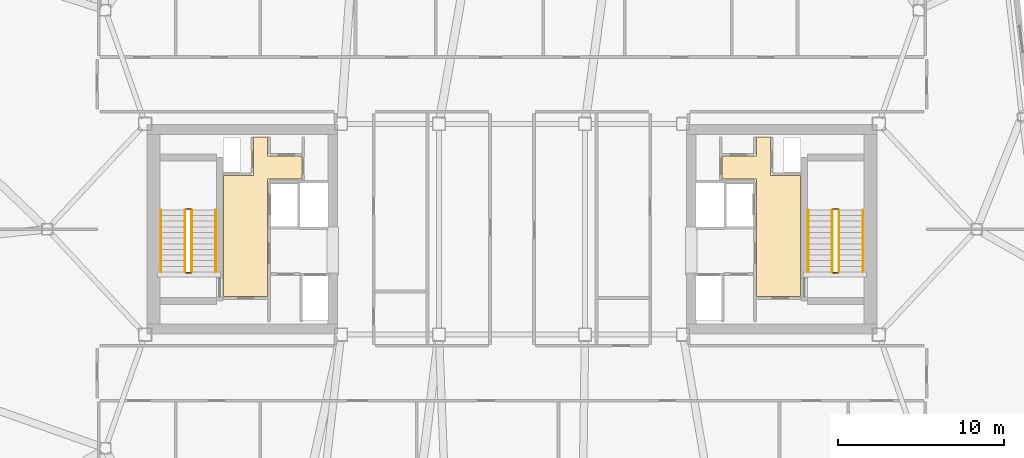
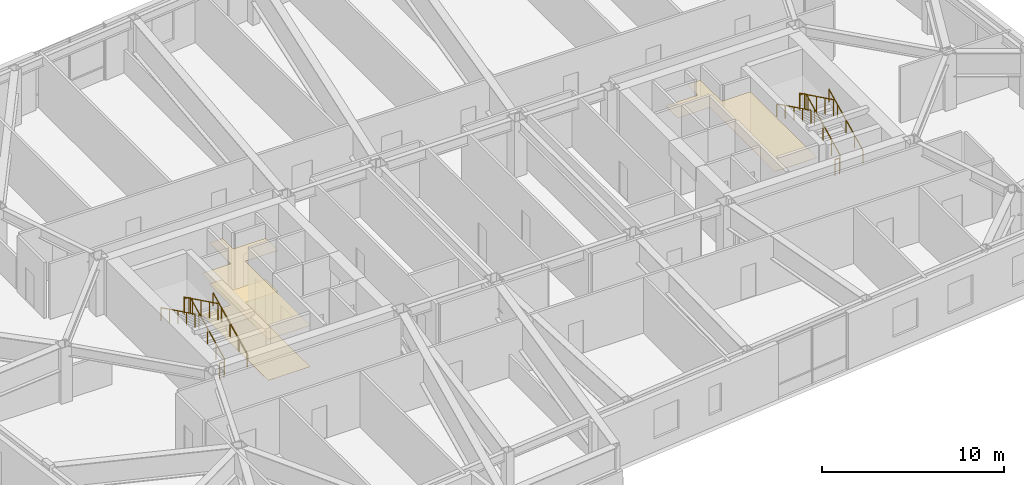
# One storey, part 18 of 18: 12 railings, 3 coverings.
"""IFC4 building model written with IfcOpenShell, lengths in metres."""

from ifc_helpers import new_model, si_unit, direction, frame, origin, origin_2d, place, context, subcontext, project, spatial, polyline, rectangle, outline, extrude, material, layer, layer_set, type_object, element, save


model = new_model("IFC4")

# Units and contexts
model_context = context("Model", 3, precision=1e-05, world=origin(), true_north=direction((0.0, 1.0)))
body_context = subcontext(model_context, "Body", "Model", "MODEL_VIEW")
ifc_project = project(units=[si_unit("LENGTHUNIT", "METRE"), si_unit("AREAUNIT", "SQUARE_METRE"), si_unit("VOLUMEUNIT", "CUBIC_METRE"), si_unit("PLANEANGLEUNIT", "RADIAN"), si_unit("MASSUNIT", "GRAM", prefix="KILO")], contexts=[model_context])

# Site, building, storey
site_placement = place(None, origin())
site = spatial("IfcSite", under=ifc_project, at=site_placement, CompositionType="ELEMENT")
building_placement = place(site_placement, origin())
building = spatial("IfcBuilding", under=site, at=building_placement, Name="Tavrogorsk Clinical Tower", CompositionType="ELEMENT")
storey_placement = place(building_placement, frame((0.0, 0.0, 222.199951171875)))
storey = spatial("IfcBuildingStorey", under=building, at=storey_placement, Name="L51", CompositionType="ELEMENT", Elevation=222.199951171875)

# Coverings
ifc_material_1 = material(Name="Antibacterial micro-perforated aluminium ceiling", Category="aluminium")
ifc_layer_1 = layer(ifc_material_1, 0.014892578125)
ifc_layer_set_1 = layer_set([ifc_layer_1], Name="Antibacterial micro-perforated aluminium ceiling")
covering_type_1 = type_object("IfcCoveringType", Name="ClinicalCeiling_15", PredefinedType="CEILING", material=ifc_layer_set_1)
covering_1_placement = place(storey_placement, frame((0.0, 0.0, 2.75)))
element("IfcCovering", 1, at=covering_1_placement, inside=storey, type_object=covering_type_1, Name="Core West Firefighting Lift Lobby Acoustic Ceiling", PredefinedType="CEILING", context=body_context, shape_type="SweptSolid", body=[
    extrude(outline(polyline([(-17.3798828125, -4.06005859375), (-17.3798828125, 3.239990234375), (-15.56005859375, 3.239990234375), (-15.56005859375, 5.56005859375), (-14.719970703125, 5.56005859375), (-14.719970703125, 4.39990234375), (-12.659912109375, 4.39990234375), (-12.659912109375, 3.0400390625), (-14.719970703125, 3.0400390625), (-14.719970703125, -4.06005859375), (-17.3798828125, -4.06005859375)])), origin(), (0.0, 0.0, 1.0), 0.01513671875),
])
covering_2_placement = place(storey_placement, frame((0.0, 0.0, 2.75)))
element("IfcCovering", 2, at=covering_2_placement, inside=storey, type_object=covering_type_1, Name="Core East Firefighting Lift Lobby Acoustic Ceiling", PredefinedType="CEILING", context=body_context, shape_type="SweptSolid", body=[
    extrude(outline(polyline([(14.719970703125, 3.0400390625), (12.659912109375, 3.0400390625), (12.659912109375, 4.39990234375), (14.719970703125, 4.39990234375), (14.719970703125, 5.56005859375), (15.56005859375, 5.56005859375), (15.56005859375, 3.239990234375), (17.3798828125, 3.239990234375), (17.3798828125, -4.06005859375), (14.719970703125, -4.06005859375), (14.719970703125, 3.0400390625)])), origin(), (0.0, 0.0, 1.0), 0.01513671875),
])
ifc_material_2 = material(Name="Homogeneous medical conductive PVC flooring")
ifc_layer_2 = layer(ifc_material_2, 0.008056640625)
ifc_layer_set_2 = layer_set([ifc_layer_2], Name="Homogeneous medical conductive PVC flooring")
covering_type_2 = type_object("IfcCoveringType", Name="ResilientVinylFloor_8", PredefinedType="FLOORING", material=ifc_layer_set_2)
covering_3_placement = place(storey_placement, origin())
element("IfcCovering", 3, at=covering_3_placement, inside=storey, type_object=covering_type_2, Name="Core West Firefighting Lift Lobby Conductive Vinyl Flooring", PredefinedType="FLOORING", context=body_context, shape_type="SweptSolid", body=[
    extrude(outline(polyline([(-17.3798828125, -4.06005859375), (-17.3798828125, 3.239990234375), (-15.56005859375, 3.239990234375), (-15.56005859375, 5.56005859375), (-14.719970703125, 5.56005859375), (-14.719970703125, 4.39990234375), (-12.659912109375, 4.39990234375), (-12.659912109375, 3.0400390625), (-14.719970703125, 3.0400390625), (-14.719970703125, -4.06005859375), (-17.3798828125, -4.06005859375)])), origin(), (0.0, 0.0, 1.0), 0.008056640625),
])

# Railings
ifc_material_3 = material(Name="Galvanised steel S355 safety stairwell guard", Category="steel")
ifc_layer_3 = layer(ifc_material_3, 0.06005859375)
ifc_layer_set_3 = layer_set([ifc_layer_3], Name="Galvanised steel S355 safety stairwell guard")
railing_type_1 = type_object("IfcRailingType", Name="StairGuard_1150", PredefinedType="GUARDRAIL", material=ifc_layer_set_3)
railing_1_placement = place(storey_placement, frame((-19.300048828125, -2.574951171875, 0.166748046875)))
element("IfcRailing", 4, at=railing_1_placement, inside=storey, type_object=railing_type_1, Name="L51 ST-W stair guard 1", PredefinedType="GUARDRAIL", context=body_context, shape_type="SweptSolid", body=[
    extrude(rectangle(XDim=0.048095703125, YDim=0.048095703125, at=origin_2d()), frame((0.0, 0.0, 1.076171875), z_axis=(0.0, 0.897927990467, 0.440142390523), x_axis=(-1.0, 0.0, 0.0)), (0.0, 0.0, 1.0), 4.1650390625),
    extrude(rectangle(XDim=0.0419921875, YDim=0.0419921875, at=origin_2d()), origin(), (0.0, 0.0, 1.0), 1.052001953125),
    extrude(rectangle(XDim=0.0419921875, YDim=0.0419921875, at=origin_2d()), frame((0.0, 0.93505859375, 0.458251953125)), (0.0, 0.0, 1.0), 1.052001953125),
    extrude(rectangle(XDim=0.0419921875, YDim=0.0419921875, at=origin_2d()), frame((0.0, 1.8701171875, 0.91650390625)), (0.0, 0.0, 1.0), 1.052001953125),
    extrude(rectangle(XDim=0.0419921875, YDim=0.0419921875, at=origin_2d()), frame((0.0, 2.804931640625, 1.375)), (0.0, 0.0, 1.0), 1.052001953125),
    extrude(rectangle(XDim=0.0419921875, YDim=0.0419921875, at=origin_2d()), frame((0.0, 3.739990234375, 1.833251953125)), (0.0, 0.0, 1.0), 1.052001953125),
])
railing_2_placement = place(storey_placement, frame((-19.35009765625, 1.215087890625, 2.0)))
element("IfcRailing", 5, at=railing_2_placement, inside=storey, type_object=railing_type_1, Name="L51 ST-W stair guard 2", PredefinedType="GUARDRAIL", context=body_context, shape_type="SweptSolid", body=[
    extrude(rectangle(XDim=0.048095703125, YDim=0.048095703125, at=origin_2d()), frame((0.0, 0.0, 1.076171875), z_axis=(-1.0, 0.0, 0.0), x_axis=(0.0, -1.0, 0.0)), (0.0, 0.0, 1.0), 0.2998046875),
    extrude(rectangle(XDim=0.0419921875, YDim=0.0419921875, at=origin_2d()), origin(), (0.0, 0.0, 1.0), 1.052001953125),
    extrude(rectangle(XDim=0.0419921875, YDim=0.0419921875, at=origin_2d()), frame((-0.2998046875, 0.0, 0.0)), (0.0, 0.0, 1.0), 1.052001953125),
])
railing_3_placement = place(storey_placement, frame((-19.699951171875, 1.1650390625, 2.166748046875)))
element("IfcRailing", 6, at=railing_3_placement, inside=storey, type_object=railing_type_1, Name="L51 ST-W stair guard 3", PredefinedType="GUARDRAIL", context=body_context, shape_type="SweptSolid", body=[
    extrude(rectangle(XDim=0.048095703125, YDim=0.048095703125, at=origin_2d()), frame((0.0, 0.0, 1.076171875), z_axis=(0.0, -0.897927990467, 0.440142390523), x_axis=(1.0, 0.0, 0.0)), (0.0, 0.0, 1.0), 4.1650390625),
    extrude(rectangle(XDim=0.0419921875, YDim=0.0419921875, at=origin_2d()), origin(), (0.0, 0.0, 1.0), 1.052001953125),
    extrude(rectangle(XDim=0.0419921875, YDim=0.0419921875, at=origin_2d()), frame((0.0, -0.93505859375, 0.458251953125)), (0.0, 0.0, 1.0), 1.052001953125),
    extrude(rectangle(XDim=0.0419921875, YDim=0.0419921875, at=origin_2d()), frame((0.0, -1.8701171875, 0.91650390625)), (0.0, 0.0, 1.0), 1.052001953125),
    extrude(rectangle(XDim=0.0419921875, YDim=0.0419921875, at=origin_2d()), frame((0.0, -2.804931640625, 1.375)), (0.0, 0.0, 1.0), 1.052001953125),
    extrude(rectangle(XDim=0.0419921875, YDim=0.0419921875, at=origin_2d()), frame((0.0, -3.739990234375, 1.833251953125)), (0.0, 0.0, 1.0), 1.052001953125),
])
railing_4_placement = place(storey_placement, frame((-19.35009765625, -2.625, 0.0)))
element("IfcRailing", 7, at=railing_4_placement, inside=storey, type_object=railing_type_1, Name="L51 ST-W stair guard 4", PredefinedType="GUARDRAIL", context=body_context, shape_type="SweptSolid", body=[
    extrude(rectangle(XDim=0.048095703125, YDim=0.048095703125, at=origin_2d()), frame((0.0, 0.0, 1.076171875), z_axis=(-1.0, 0.0, 0.0), x_axis=(0.0, -1.0, 0.0)), (0.0, 0.0, 1.0), 0.2998046875),
    extrude(rectangle(XDim=0.0419921875, YDim=0.0419921875, at=origin_2d()), origin(), (0.0, 0.0, 1.0), 1.052001953125),
    extrude(rectangle(XDim=0.0419921875, YDim=0.0419921875, at=origin_2d()), frame((-0.2998046875, 0.0, 0.0)), (0.0, 0.0, 1.0), 1.052001953125),
])
railing_5_placement = place(storey_placement, frame((19.699951171875, -2.574951171875, 0.166748046875)))
element("IfcRailing", 8, at=railing_5_placement, inside=storey, type_object=railing_type_1, Name="L51 ST-E stair guard 1", PredefinedType="GUARDRAIL", context=body_context, shape_type="SweptSolid", body=[
    extrude(rectangle(XDim=0.048095703125, YDim=0.048095703125, at=origin_2d()), frame((0.0, 0.0, 1.076171875), z_axis=(0.0, 0.897927990467, 0.440142390523), x_axis=(-1.0, 0.0, 0.0)), (0.0, 0.0, 1.0), 4.1650390625),
    extrude(rectangle(XDim=0.0419921875, YDim=0.0419921875, at=origin_2d()), origin(), (0.0, 0.0, 1.0), 1.052001953125),
    extrude(rectangle(XDim=0.0419921875, YDim=0.0419921875, at=origin_2d()), frame((0.0, 0.93505859375, 0.458251953125)), (0.0, 0.0, 1.0), 1.052001953125),
    extrude(rectangle(XDim=0.0419921875, YDim=0.0419921875, at=origin_2d()), frame((0.0, 1.8701171875, 0.91650390625)), (0.0, 0.0, 1.0), 1.052001953125),
    extrude(rectangle(XDim=0.0419921875, YDim=0.0419921875, at=origin_2d()), frame((0.0, 2.804931640625, 1.375)), (0.0, 0.0, 1.0), 1.052001953125),
    extrude(rectangle(XDim=0.0419921875, YDim=0.0419921875, at=origin_2d()), frame((0.0, 3.739990234375, 1.833251953125)), (0.0, 0.0, 1.0), 1.052001953125),
])
railing_6_placement = place(storey_placement, frame((19.64990234375, 1.215087890625, 2.0)))
element("IfcRailing", 9, at=railing_6_placement, inside=storey, type_object=railing_type_1, Name="L51 ST-E stair guard 2", PredefinedType="GUARDRAIL", context=body_context, shape_type="SweptSolid", body=[
    extrude(rectangle(XDim=0.048095703125, YDim=0.048095703125, at=origin_2d()), frame((0.0, 0.0, 1.076171875), z_axis=(-1.0, 0.0, 0.0), x_axis=(0.0, -1.0, 0.0)), (0.0, 0.0, 1.0), 0.2998046875),
    extrude(rectangle(XDim=0.0419921875, YDim=0.0419921875, at=origin_2d()), origin(), (0.0, 0.0, 1.0), 1.052001953125),
    extrude(rectangle(XDim=0.0419921875, YDim=0.0419921875, at=origin_2d()), frame((-0.2998046875, 0.0, 0.0)), (0.0, 0.0, 1.0), 1.052001953125),
])
railing_7_placement = place(storey_placement, frame((19.300048828125, 1.1650390625, 2.166748046875)))
element("IfcRailing", 10, at=railing_7_placement, inside=storey, type_object=railing_type_1, Name="L51 ST-E stair guard 3", PredefinedType="GUARDRAIL", context=body_context, shape_type="SweptSolid", body=[
    extrude(rectangle(XDim=0.048095703125, YDim=0.048095703125, at=origin_2d()), frame((0.0, 0.0, 1.076171875), z_axis=(0.0, -0.897927990467, 0.440142390523), x_axis=(1.0, 0.0, 0.0)), (0.0, 0.0, 1.0), 4.1650390625),
    extrude(rectangle(XDim=0.0419921875, YDim=0.0419921875, at=origin_2d()), origin(), (0.0, 0.0, 1.0), 1.052001953125),
    extrude(rectangle(XDim=0.0419921875, YDim=0.0419921875, at=origin_2d()), frame((0.0, -0.93505859375, 0.458251953125)), (0.0, 0.0, 1.0), 1.052001953125),
    extrude(rectangle(XDim=0.0419921875, YDim=0.0419921875, at=origin_2d()), frame((0.0, -1.8701171875, 0.91650390625)), (0.0, 0.0, 1.0), 1.052001953125),
    extrude(rectangle(XDim=0.0419921875, YDim=0.0419921875, at=origin_2d()), frame((0.0, -2.804931640625, 1.375)), (0.0, 0.0, 1.0), 1.052001953125),
    extrude(rectangle(XDim=0.0419921875, YDim=0.0419921875, at=origin_2d()), frame((0.0, -3.739990234375, 1.833251953125)), (0.0, 0.0, 1.0), 1.052001953125),
])
railing_8_placement = place(storey_placement, frame((19.64990234375, -2.625, 0.0)))
element("IfcRailing", 11, at=railing_8_placement, inside=storey, type_object=railing_type_1, Name="L51 ST-E stair guard 4", PredefinedType="GUARDRAIL", context=body_context, shape_type="SweptSolid", body=[
    extrude(rectangle(XDim=0.048095703125, YDim=0.048095703125, at=origin_2d()), frame((0.0, 0.0, 1.076171875), z_axis=(-1.0, 0.0, 0.0), x_axis=(0.0, -1.0, 0.0)), (0.0, 0.0, 1.0), 0.2998046875),
    extrude(rectangle(XDim=0.0419921875, YDim=0.0419921875, at=origin_2d()), origin(), (0.0, 0.0, 1.0), 1.052001953125),
    extrude(rectangle(XDim=0.0419921875, YDim=0.0419921875, at=origin_2d()), frame((-0.2998046875, 0.0, 0.0)), (0.0, 0.0, 1.0), 1.052001953125),
])
ifc_material_4 = material(Name="Stainless steel AISI 304 tubular handrail", Category="steel")
ifc_layer_4 = layer(ifc_material_4, 0.050048828125)
ifc_layer_set_4 = layer_set([ifc_layer_4], Name="Stainless steel AISI 304 tubular handrail")
railing_type_2 = type_object("IfcRailingType", Name="StairHandrail_920", PredefinedType="HANDRAIL", material=ifc_layer_set_4)
railing_9_placement = place(storey_placement, frame((-17.85009765625, -2.574951171875, 0.166748046875)))
element("IfcRailing", 12, at=railing_9_placement, inside=storey, type_object=railing_type_2, Name="L51 ST-W stair handrail 1", PredefinedType="HANDRAIL", context=body_context, shape_type="SweptSolid", body=[
    extrude(rectangle(XDim=0.048095703125, YDim=0.048095703125, at=origin_2d()), frame((0.0, 0.0, 0.8759765625), z_axis=(0.0, 0.897927990467, 0.440142390523), x_axis=(-1.0, 0.0, 0.0)), (0.0, 0.0, 1.0), 4.1650390625),
    extrude(rectangle(XDim=0.0419921875, YDim=0.0419921875, at=origin_2d()), origin(), (0.0, 0.0, 1.0), 0.851806640625),
    extrude(rectangle(XDim=0.0419921875, YDim=0.0419921875, at=origin_2d()), frame((0.0, 0.93505859375, 0.458251953125)), (0.0, 0.0, 1.0), 0.851806640625),
    extrude(rectangle(XDim=0.0419921875, YDim=0.0419921875, at=origin_2d()), frame((0.0, 1.8701171875, 0.91650390625)), (0.0, 0.0, 1.0), 0.851806640625),
    extrude(rectangle(XDim=0.0419921875, YDim=0.0419921875, at=origin_2d()), frame((0.0, 2.804931640625, 1.375)), (0.0, 0.0, 1.0), 0.851806640625),
    extrude(rectangle(XDim=0.0419921875, YDim=0.0419921875, at=origin_2d()), frame((0.0, 3.739990234375, 1.833251953125)), (0.0, 0.0, 1.0), 0.851806640625),
])
railing_10_placement = place(storey_placement, frame((-21.14990234375, 1.1650390625, 2.166748046875)))
element("IfcRailing", 13, at=railing_10_placement, inside=storey, type_object=railing_type_2, Name="L51 ST-W stair handrail 2", PredefinedType="HANDRAIL", context=body_context, shape_type="SweptSolid", body=[
    extrude(rectangle(XDim=0.048095703125, YDim=0.048095703125, at=origin_2d()), frame((0.0, 0.0, 0.8759765625), z_axis=(0.0, -0.897927990467, 0.440142390523), x_axis=(1.0, 0.0, 0.0)), (0.0, 0.0, 1.0), 4.1650390625),
    extrude(rectangle(XDim=0.0419921875, YDim=0.0419921875, at=origin_2d()), origin(), (0.0, 0.0, 1.0), 0.851806640625),
    extrude(rectangle(XDim=0.0419921875, YDim=0.0419921875, at=origin_2d()), frame((0.0, -0.93505859375, 0.458251953125)), (0.0, 0.0, 1.0), 0.851806640625),
    extrude(rectangle(XDim=0.0419921875, YDim=0.0419921875, at=origin_2d()), frame((0.0, -1.8701171875, 0.91650390625)), (0.0, 0.0, 1.0), 0.851806640625),
    extrude(rectangle(XDim=0.0419921875, YDim=0.0419921875, at=origin_2d()), frame((0.0, -2.804931640625, 1.375)), (0.0, 0.0, 1.0), 0.851806640625),
    extrude(rectangle(XDim=0.0419921875, YDim=0.0419921875, at=origin_2d()), frame((0.0, -3.739990234375, 1.833251953125)), (0.0, 0.0, 1.0), 0.851806640625),
])
railing_11_placement = place(storey_placement, frame((21.14990234375, -2.574951171875, 0.166748046875)))
element("IfcRailing", 14, at=railing_11_placement, inside=storey, type_object=railing_type_2, Name="L51 ST-E stair handrail 1", PredefinedType="HANDRAIL", context=body_context, shape_type="SweptSolid", body=[
    extrude(rectangle(XDim=0.048095703125, YDim=0.048095703125, at=origin_2d()), frame((0.0, 0.0, 0.8759765625), z_axis=(0.0, 0.897927990467, 0.440142390523), x_axis=(-1.0, 0.0, 0.0)), (0.0, 0.0, 1.0), 4.1650390625),
    extrude(rectangle(XDim=0.0419921875, YDim=0.0419921875, at=origin_2d()), origin(), (0.0, 0.0, 1.0), 0.851806640625),
    extrude(rectangle(XDim=0.0419921875, YDim=0.0419921875, at=origin_2d()), frame((0.0, 0.93505859375, 0.458251953125)), (0.0, 0.0, 1.0), 0.851806640625),
    extrude(rectangle(XDim=0.0419921875, YDim=0.0419921875, at=origin_2d()), frame((0.0, 1.8701171875, 0.91650390625)), (0.0, 0.0, 1.0), 0.851806640625),
    extrude(rectangle(XDim=0.0419921875, YDim=0.0419921875, at=origin_2d()), frame((0.0, 2.804931640625, 1.375)), (0.0, 0.0, 1.0), 0.851806640625),
    extrude(rectangle(XDim=0.0419921875, YDim=0.0419921875, at=origin_2d()), frame((0.0, 3.739990234375, 1.833251953125)), (0.0, 0.0, 1.0), 0.851806640625),
])
railing_12_placement = place(storey_placement, frame((17.85009765625, 1.1650390625, 2.166748046875)))
element("IfcRailing", 15, at=railing_12_placement, inside=storey, type_object=railing_type_2, Name="L51 ST-E stair handrail 2", PredefinedType="HANDRAIL", context=body_context, shape_type="SweptSolid", body=[
    extrude(rectangle(XDim=0.048095703125, YDim=0.048095703125, at=origin_2d()), frame((0.0, 0.0, 0.8759765625), z_axis=(0.0, -0.897927990467, 0.440142390523), x_axis=(1.0, 0.0, 0.0)), (0.0, 0.0, 1.0), 4.1650390625),
    extrude(rectangle(XDim=0.0419921875, YDim=0.0419921875, at=origin_2d()), origin(), (0.0, 0.0, 1.0), 0.851806640625),
    extrude(rectangle(XDim=0.0419921875, YDim=0.0419921875, at=origin_2d()), frame((0.0, -0.93505859375, 0.458251953125)), (0.0, 0.0, 1.0), 0.851806640625),
    extrude(rectangle(XDim=0.0419921875, YDim=0.0419921875, at=origin_2d()), frame((0.0, -1.8701171875, 0.91650390625)), (0.0, 0.0, 1.0), 0.851806640625),
    extrude(rectangle(XDim=0.0419921875, YDim=0.0419921875, at=origin_2d()), frame((0.0, -2.804931640625, 1.375)), (0.0, 0.0, 1.0), 0.851806640625),
    extrude(rectangle(XDim=0.0419921875, YDim=0.0419921875, at=origin_2d()), frame((0.0, -3.739990234375, 1.833251953125)), (0.0, 0.0, 1.0), 0.851806640625),
])

save(model, "model.ifc")
